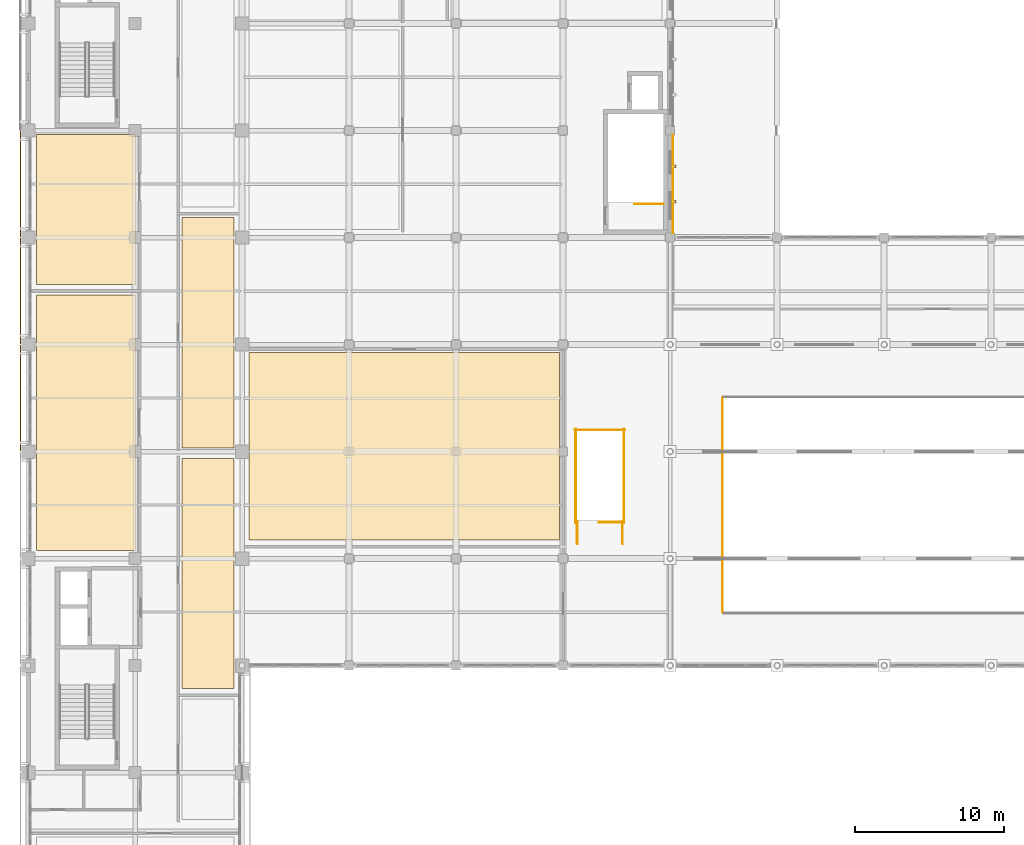
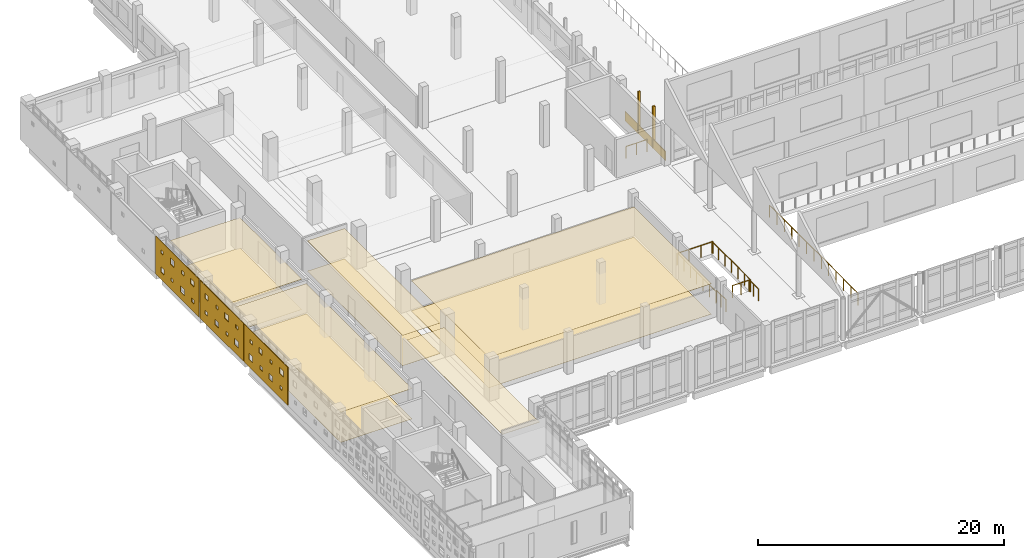
# One storey, part 56 of 62: 13 coverings, 8 railings, 2 shading devices.
"""IFC4 building model written with IfcOpenShell, lengths in metres."""

from ifc_helpers import new_model, si_unit, direction, frame, origin, origin_2d, place, context, subcontext, project, spatial, polyline, rectangle, circle, outline, extrude, material, layer, layer_set, type_object, element, save


model = new_model("IFC4")

# Units and contexts
model_context = context("Model", 3, precision=1e-05, world=origin(), true_north=direction((0.0, 1.0)))
body_context = subcontext(model_context, "Body", "Model", "MODEL_VIEW")
ifc_project = project(units=[si_unit("LENGTHUNIT", "METRE"), si_unit("AREAUNIT", "SQUARE_METRE"), si_unit("VOLUMEUNIT", "CUBIC_METRE"), si_unit("PLANEANGLEUNIT", "RADIAN"), si_unit("MASSUNIT", "GRAM", prefix="KILO")], contexts=[model_context])

# Site, building, storey
site_placement = place(None, origin())
site = spatial("IfcSite", under=ifc_project, at=site_placement, CompositionType="ELEMENT")
building_placement = place(site_placement, origin())
building = spatial("IfcBuilding", under=site, at=building_placement, Name="Valkovuoma Quantum and Materials Research Institute", CompositionType="ELEMENT")
storey_placement = place(building_placement, frame((0.0, 0.0, 13.1201171875)))
storey = spatial("IfcBuildingStorey", under=building, at=storey_placement, Name="L03", CompositionType="ELEMENT", Elevation=13.1201171875)

# Coverings
ifc_material_1 = material(Name="Cleanable acoustic mineral-fibre suspended ceiling", Category="masonry")
ifc_layer_1 = layer(ifc_material_1, 0.02490234375)
ifc_layer_set_1 = layer_set([ifc_layer_1], Name="Cleanable acoustic mineral-fibre suspended ceiling")
covering_type_1 = type_object("IfcCoveringType", Name="Cov-CEIL-01", PredefinedType="CEILING", material=ifc_layer_set_1)
covering_1_placement = place(storey_placement, frame((0.0, 0.0, 3.0)))
element("IfcCovering", 1, at=covering_1_placement, inside=storey, type_object=covering_type_1, Name="L03 acoustic ceiling 0082", PredefinedType="CEILING", context=body_context, shape_type="SweptSolid", body=[
    extrude(outline(polyline([(0.550048828125, 43.75), (7.25, 43.75), (7.25, 60.949951171875), (0.550048828125, 60.949951171875), (0.550048828125, 43.75)])), origin(), (0.0, 0.0, 1.0), 0.02490234375),
])
covering_2_placement = place(storey_placement, frame((0.0, 0.0, 3.0)))
element("IfcCovering", 2, at=covering_2_placement, inside=storey, type_object=covering_type_1, Name="L03 acoustic ceiling 0083", PredefinedType="CEILING", context=body_context, shape_type="SweptSolid", body=[
    extrude(outline(polyline([(0.550048828125, 61.64990234375), (7.25, 61.64990234375), (7.25, 71.75), (0.550048828125, 71.75), (0.550048828125, 61.64990234375)])), origin(), (0.0, 0.0, 1.0), 0.02490234375),
])
covering_3_placement = place(storey_placement, frame((0.0, 0.0, 3.0)))
element("IfcCovering", 3, at=covering_3_placement, inside=storey, type_object=covering_type_1, Name="L03 acoustic ceiling 0086", PredefinedType="CEILING", context=body_context, shape_type="SweptSolid", body=[
    extrude(outline(polyline([(10.35009765625, 34.449951171875), (13.85009765625, 34.449951171875), (13.85009765625, 49.949951171875), (10.35009765625, 49.949951171875), (10.35009765625, 34.449951171875)])), origin(), (0.0, 0.0, 1.0), 0.02490234375),
])
covering_4_placement = place(storey_placement, frame((0.0, 0.0, 3.0)))
element("IfcCovering", 4, at=covering_4_placement, inside=storey, type_object=covering_type_1, Name="L03 acoustic ceiling 0087", PredefinedType="CEILING", context=body_context, shape_type="SweptSolid", body=[
    extrude(outline(polyline([(10.35009765625, 50.64990234375), (13.85009765625, 50.64990234375), (13.85009765625, 66.14990234375), (10.35009765625, 66.14990234375), (10.35009765625, 50.64990234375)])), origin(), (0.0, 0.0, 1.0), 0.02490234375),
])
covering_5_placement = place(storey_placement, frame((0.0, 0.0, 3.0)))
element("IfcCovering", 5, at=covering_5_placement, inside=storey, type_object=covering_type_1, Name="L03 acoustic ceiling 0089", PredefinedType="CEILING", context=body_context, shape_type="SweptSolid", body=[
    extrude(outline(polyline([(14.85009765625, 44.449951171875), (35.75, 44.449951171875), (35.75, 57.050048828125), (14.85009765625, 57.050048828125), (14.85009765625, 44.449951171875)])), origin(), (0.0, 0.0, 1.0), 0.02490234375),
])
ifc_material_2 = material(Name="Seamless dissipative laboratory resin flooring", Category="masonry")
ifc_layer_2 = layer(ifc_material_2, 0.014892578125)
ifc_layer_set_2 = layer_set([ifc_layer_2], Name="Seamless dissipative laboratory resin flooring")
covering_type_2 = type_object("IfcCoveringType", Name="Cov-FLOR-01", PredefinedType="FLOORING", material=ifc_layer_set_2)
covering_6_placement = place(storey_placement, origin())
element("IfcCovering", 6, at=covering_6_placement, inside=storey, type_object=covering_type_2, Name="L03 resin flooring 0082", PredefinedType="FLOORING", context=body_context, shape_type="SweptSolid", body=[
    extrude(outline(polyline([(0.550048828125, 43.75), (7.25, 43.75), (7.25, 60.949951171875), (0.550048828125, 60.949951171875), (0.550048828125, 43.75)])), origin(), (0.0, 0.0, 1.0), 0.014892578125),
])
covering_7_placement = place(storey_placement, origin())
element("IfcCovering", 7, at=covering_7_placement, inside=storey, type_object=covering_type_2, Name="L03 resin flooring 0083", PredefinedType="FLOORING", context=body_context, shape_type="SweptSolid", body=[
    extrude(outline(polyline([(0.550048828125, 61.64990234375), (7.25, 61.64990234375), (7.25, 71.75), (0.550048828125, 71.75), (0.550048828125, 61.64990234375)])), origin(), (0.0, 0.0, 1.0), 0.014892578125),
])
covering_8_placement = place(storey_placement, origin())
element("IfcCovering", 8, at=covering_8_placement, inside=storey, type_object=covering_type_2, Name="L03 resin flooring 0087", PredefinedType="FLOORING", context=body_context, shape_type="SweptSolid", body=[
    extrude(outline(polyline([(10.35009765625, 50.64990234375), (13.85009765625, 50.64990234375), (13.85009765625, 66.14990234375), (10.35009765625, 66.14990234375), (10.35009765625, 50.64990234375)])), origin(), (0.0, 0.0, 1.0), 0.014892578125),
])
covering_9_placement = place(storey_placement, origin())
element("IfcCovering", 9, at=covering_9_placement, inside=storey, type_object=covering_type_2, Name="L03 resin flooring 0089", PredefinedType="FLOORING", context=body_context, shape_type="SweptSolid", body=[
    extrude(outline(polyline([(14.85009765625, 44.449951171875), (35.75, 44.449951171875), (35.75, 57.050048828125), (14.85009765625, 57.050048828125), (14.85009765625, 44.449951171875)])), origin(), (0.0, 0.0, 1.0), 0.014892578125),
])
ifc_material_3 = material(Name="White powder-coated aluminium architectural panel", Category="aluminium")
ifc_layer_3 = layer(ifc_material_3, 0.054931640625)
ifc_layer_set_3 = layer_set([ifc_layer_3], Name="White powder-coated aluminium architectural panel")
covering_type_3 = type_object("IfcCoveringType", Name="Cov-PERF-MID", PredefinedType="CLADDING", material=ifc_layer_set_3)
covering_10_placement = place(storey_placement, frame((-0.52001953125, 50.4599609375, 0.019775390625), z_axis=(0.0, 0.0, 1.0), x_axis=(0.0, 1.0, 0.0)))
element("IfcCovering", 10, at=covering_10_placement, inside=storey, type_object=covering_type_3, Name="L03 graduated perforated white screen W-0031", PredefinedType="CLADDING", context=body_context, shape_type="SweptSolid", body=[
    extrude(outline(polyline([(0.0, 0.0), (7.080078125, 0.0), (7.080078125, 3.77001953125), (0.0, 3.77001953125), (0.0, 0.0)]), holes=[polyline([(0.902587890625, 0.882568359375), (0.902587890625, 1.222412109375), (1.242431640625, 1.222412109375), (1.242431640625, 0.882568359375), (0.902587890625, 0.882568359375)]), polyline([(0.702392578125, 2.357421875), (0.702392578125, 2.9775390625), (1.322509765625, 2.9775390625), (1.322509765625, 2.357421875), (0.702392578125, 2.357421875)]), polyline([(2.507568359375, 0.782470703125), (2.507568359375, 1.322509765625), (3.047607421875, 1.322509765625), (3.047607421875, 0.782470703125), (2.507568359375, 0.782470703125)]), polyline([(2.547607421875, 2.49755859375), (2.547607421875, 2.83740234375), (2.887451171875, 2.83740234375), (2.887451171875, 2.49755859375), (2.547607421875, 2.49755859375)]), polyline([(4.112548828125, 0.862548828125), (4.112548828125, 1.242431640625), (4.492431640625, 1.242431640625), (4.492431640625, 0.862548828125), (4.112548828125, 0.862548828125)]), polyline([(4.152587890625, 2.3974609375), (4.152587890625, 2.9375), (4.6923828125, 2.9375), (4.6923828125, 2.3974609375), (4.152587890625, 2.3974609375)]), polyline([(5.697509765625, 0.742431640625), (5.697509765625, 1.362548828125), (6.3173828125, 1.362548828125), (6.3173828125, 0.742431640625), (5.697509765625, 0.742431640625)]), polyline([(5.757568359375, 2.4775390625), (5.757568359375, 2.857421875), (6.137451171875, 2.857421875), (6.137451171875, 2.4775390625), (5.757568359375, 2.4775390625)])]), frame((0.0, 0.02734375, 0.0), z_axis=(0.0, -1.0, 0.0), x_axis=(1.0, 0.0, 0.0)), (0.0, 0.0, 1.0), 0.054931640625),
])
covering_11_placement = place(storey_placement, frame((-0.52001953125, 57.659912109375, 0.019775390625), z_axis=(0.0, 0.0, 1.0), x_axis=(0.0, 1.0, 0.0)))
element("IfcCovering", 11, at=covering_11_placement, inside=storey, type_object=covering_type_3, Name="L03 graduated perforated white screen W-0032", PredefinedType="CLADDING", context=body_context, shape_type="SweptSolid", body=[
    extrude(outline(polyline([(0.0, 0.0), (7.080078125, 0.0), (7.080078125, 3.77001953125), (0.0, 3.77001953125), (0.0, 0.0)]), holes=[polyline([(0.822509765625, 0.79248046875), (0.822509765625, 1.41259765625), (1.4423828125, 1.41259765625), (1.4423828125, 0.79248046875), (0.822509765625, 0.79248046875)]), polyline([(0.882568359375, 2.527587890625), (0.882568359375, 2.907470703125), (1.262451171875, 2.907470703125), (1.262451171875, 2.527587890625), (0.882568359375, 2.527587890625)]), polyline([(2.487548828125, 0.9326171875), (2.487548828125, 1.2724609375), (2.827392578125, 1.2724609375), (2.827392578125, 0.9326171875), (2.487548828125, 0.9326171875)]), polyline([(2.467529296875, 2.407470703125), (2.467529296875, 3.027587890625), (3.08740234375, 3.027587890625), (3.08740234375, 2.407470703125), (2.467529296875, 2.407470703125)]), polyline([(4.092529296875, 0.83251953125), (4.092529296875, 1.37255859375), (4.632568359375, 1.37255859375), (4.632568359375, 0.83251953125), (4.092529296875, 0.83251953125)]), polyline([(4.132568359375, 2.547607421875), (4.132568359375, 2.887451171875), (4.472412109375, 2.887451171875), (4.472412109375, 2.547607421875), (4.132568359375, 2.547607421875)]), polyline([(5.87744140625, 0.91259765625), (5.87744140625, 1.29248046875), (6.257568359375, 1.29248046875), (6.257568359375, 0.91259765625), (5.87744140625, 0.91259765625)]), polyline([(5.737548828125, 2.447509765625), (5.737548828125, 2.987548828125), (6.277587890625, 2.987548828125), (6.277587890625, 2.447509765625), (5.737548828125, 2.447509765625)])]), frame((0.0, 0.02734375, 0.0), z_axis=(0.0, -1.0, 0.0), x_axis=(1.0, 0.0, 0.0)), (0.0, 0.0, 1.0), 0.054931640625),
])
covering_12_placement = place(storey_placement, frame((-0.52001953125, 64.860107421875, 0.019775390625), z_axis=(0.0, 0.0, 1.0), x_axis=(0.0, 1.0, 0.0)))
element("IfcCovering", 12, at=covering_12_placement, inside=storey, type_object=covering_type_3, Name="L03 graduated perforated white screen W-0033", PredefinedType="CLADDING", context=body_context, shape_type="SweptSolid", body=[
    extrude(outline(polyline([(0.0, 0.0), (7.079833984375, 0.0), (7.079833984375, 3.77001953125), (0.0, 3.77001953125), (0.0, 0.0)]), holes=[polyline([(0.822509765625, 0.8125), (0.822509765625, 1.1923828125), (1.202392578125, 1.1923828125), (1.202392578125, 0.8125), (0.822509765625, 0.8125)]), polyline([(0.862548828125, 2.49755859375), (0.862548828125, 3.03759765625), (1.402587890625, 3.03759765625), (1.402587890625, 2.49755859375), (0.862548828125, 2.49755859375)]), polyline([(2.407470703125, 0.6923828125), (2.407470703125, 1.3125), (3.027587890625, 1.3125), (3.027587890625, 0.6923828125), (2.407470703125, 0.6923828125)]), polyline([(2.467529296875, 2.577392578125), (2.467529296875, 2.95751953125), (2.847412109375, 2.95751953125), (2.847412109375, 2.577392578125), (2.467529296875, 2.577392578125)]), polyline([(4.25244140625, 0.83251953125), (4.25244140625, 1.172607421875), (4.592529296875, 1.172607421875), (4.592529296875, 0.83251953125), (4.25244140625, 0.83251953125)]), polyline([(4.052490234375, 2.45751953125), (4.052490234375, 3.077392578125), (4.672607421875, 3.077392578125), (4.672607421875, 2.45751953125), (4.052490234375, 2.45751953125)]), polyline([(5.677490234375, 0.732421875), (5.677490234375, 1.2724609375), (6.217529296875, 1.2724609375), (6.217529296875, 0.732421875), (5.677490234375, 0.732421875)]), polyline([(5.8974609375, 2.597412109375), (5.8974609375, 2.9375), (6.237548828125, 2.9375), (6.237548828125, 2.597412109375), (5.8974609375, 2.597412109375)])]), frame((0.0, 0.02734375, 0.0), z_axis=(0.0, -1.0, 0.0), x_axis=(1.0, 0.0, 0.0)), (0.0, 0.0, 1.0), 0.054931640625),
])
ifc_material_4 = material(Name="Thermally modified Nordic pine timber rainscreen cladding", Category="wood")
ifc_layer_4 = layer(ifc_material_4, 0.044921875)
ifc_layer_set_4 = layer_set([ifc_layer_4], Name="Thermally modified Nordic pine timber rainscreen cladding")
covering_type_4 = type_object("IfcCoveringType", Name="Cov-TIMB-01", PredefinedType="CLADDING", material=ifc_layer_set_4)
covering_13_placement = place(storey_placement, frame((43.389892578125, 68.39990234375, 0.02001953125), z_axis=(0.0, 0.0, 1.0), x_axis=(1.0, 0.0, 0.0)))
element("IfcCovering", 13, at=covering_13_placement, inside=storey, type_object=covering_type_4, Name="L03 Nordic pine spandrel E-042", PredefinedType="CLADDING", context=body_context, shape_type="SweptSolid", body=[
    extrude(rectangle(XDim=0.044921875, YDim=6.6201171875, at=origin_2d()), origin(), (0.0, 0.0, 1.0), 0.919921875),
])

# Railings
ifc_material_5 = material(Name="Hot-dip galvanised and powder-coated steel guardrail", Category="steel")
railing_type_1 = type_object("IfcRailingType", Name="Rail-GRD-EXT", PredefinedType="BALUSTRADE", material=ifc_material_5)
railing_1_placement = place(storey_placement, frame((46.719970703125, 39.60009765625, 0.0)))
element("IfcRailing", 14, at=railing_1_placement, inside=storey, type_object=railing_type_1, Name="L03 atrium_void balustrade W", PredefinedType="BALUSTRADE", context=body_context, shape_type="SweptSolid", body=[
    extrude(circle(Radius=0.02392578125, at=origin_2d()), frame((0.0, 0.0, 1.17578125), z_axis=(0.0, 1.0, 0.0), x_axis=(-1.0, 0.0, 0.0)), (0.0, 0.0, 1.0), 14.39990234375),
    extrude(circle(Radius=0.02099609375, at=origin_2d()), origin(), (0.0, 0.0, 1.0), 1.15185546875),
    extrude(circle(Radius=0.02099609375, at=origin_2d()), frame((0.0, 1.199951171875, 0.0)), (0.0, 0.0, 1.0), 1.15185546875),
    extrude(circle(Radius=0.02099609375, at=origin_2d()), frame((0.0, 2.39990234375, 0.0)), (0.0, 0.0, 1.0), 1.15185546875),
    extrude(circle(Radius=0.02099609375, at=origin_2d()), frame((0.0, 3.60009765625, 0.0)), (0.0, 0.0, 1.0), 1.15185546875),
    extrude(circle(Radius=0.02099609375, at=origin_2d()), frame((0.0, 4.800048828125, 0.0)), (0.0, 0.0, 1.0), 1.15185546875),
    extrude(circle(Radius=0.02099609375, at=origin_2d()), frame((0.0, 6.0, 0.0)), (0.0, 0.0, 1.0), 1.15185546875),
    extrude(circle(Radius=0.02099609375, at=origin_2d()), frame((0.0, 7.199951171875, 0.0)), (0.0, 0.0, 1.0), 1.15185546875),
    extrude(circle(Radius=0.02099609375, at=origin_2d()), frame((0.0, 8.39990234375, 0.0)), (0.0, 0.0, 1.0), 1.15185546875),
    extrude(circle(Radius=0.02099609375, at=origin_2d()), frame((0.0, 9.599853515625, 0.0)), (0.0, 0.0, 1.0), 1.15185546875),
    extrude(circle(Radius=0.02099609375, at=origin_2d()), frame((0.0, 10.7998046875, 0.0)), (0.0, 0.0, 1.0), 1.15185546875),
    extrude(circle(Radius=0.02099609375, at=origin_2d()), frame((0.0, 12.0, 0.0)), (0.0, 0.0, 1.0), 1.15185546875),
    extrude(circle(Radius=0.02099609375, at=origin_2d()), frame((0.0, 13.199951171875, 0.0)), (0.0, 0.0, 1.0), 1.15185546875),
    extrude(circle(Radius=0.02099609375, at=origin_2d()), frame((0.0, 14.39990234375, 0.0)), (0.0, 0.0, 1.0), 1.15185546875),
])
ifc_material_6 = material(Name="Painted steel stair balustrade", Category="steel")
railing_type_2 = type_object("IfcRailingType", Name="Rail-GRD-ST", PredefinedType="BALUSTRADE", material=ifc_material_6)
railing_2_placement = place(storey_placement, frame((42.75, 67.050048828125, 0.0)))
element("IfcRailing", 15, at=railing_2_placement, inside=storey, type_object=railing_type_2, Name="L03 ST-4 top well guard 1", PredefinedType="BALUSTRADE", context=body_context, shape_type="SweptSolid", body=[
    extrude(circle(Radius=0.02392578125, at=origin_2d()), frame((0.0, 0.0, 1.17578125), z_axis=(-1.0, 0.0, 0.0), x_axis=(0.0, -1.0, 0.0)), (0.0, 0.0, 1.0), 1.949951171875),
    extrude(circle(Radius=0.02099609375, at=origin_2d()), origin(), (0.0, 0.0, 1.0), 1.15185546875),
    extrude(circle(Radius=0.02099609375, at=origin_2d()), frame((-0.97509765625, 0.0, 0.0)), (0.0, 0.0, 1.0), 1.15185546875),
    extrude(circle(Radius=0.02099609375, at=origin_2d()), frame((-1.949951171875, 0.0, 0.0)), (0.0, 0.0, 1.0), 1.15185546875),
])
railing_3_placement = place(storey_placement, frame((40.050048828125, 45.64990234375, 0.0)))
element("IfcRailing", 16, at=railing_3_placement, inside=storey, type_object=railing_type_2, Name="L03 ST-5 top well guard 1", PredefinedType="BALUSTRADE", context=body_context, shape_type="SweptSolid", body=[
    extrude(circle(Radius=0.02392578125, at=origin_2d()), frame((0.0, 0.0, 1.17578125), z_axis=(-1.0, 0.0, 0.0), x_axis=(0.0, -1.0, 0.0)), (0.0, 0.0, 1.0), 1.650146484375),
    extrude(circle(Radius=0.02099609375, at=origin_2d()), origin(), (0.0, 0.0, 1.0), 1.15185546875),
    extrude(circle(Radius=0.02099609375, at=origin_2d()), frame((-0.8251953125, 0.0, 0.0)), (0.0, 0.0, 1.0), 1.15185546875),
    extrude(circle(Radius=0.02099609375, at=origin_2d()), frame((-1.650146484375, 0.0, 0.0)), (0.0, 0.0, 1.0), 1.15185546875),
])
for number, where, name in (
    (17, (40.10009765625, 45.60009765625, 0.0), "L03 ST-5 top well guard 2"),
    (18, (36.85009765625, 45.60009765625, 0.0), "L03 ST-5 top well guard 3"),
):
    element("IfcRailing", number, at=place(storey_placement, frame(where)), inside=storey, type_object=railing_type_2, Name=name, PredefinedType="BALUSTRADE", context=body_context, shape_type="SweptSolid", body=[
        extrude(circle(Radius=0.02392578125, at=origin_2d()), frame((0.0, 0.0, 1.17578125), z_axis=(0.0, 1.0, 0.0), x_axis=(-1.0, 0.0, 0.0)), (0.0, 0.0, 1.0), 6.2998046875),
        extrude(circle(Radius=0.02099609375, at=origin_2d()), origin(), (0.0, 0.0, 1.0), 1.15185546875),
        extrude(circle(Radius=0.02099609375, at=origin_2d()), frame((0.0, 1.050048828125, 0.0)), (0.0, 0.0, 1.0), 1.15185546875),
        extrude(circle(Radius=0.02099609375, at=origin_2d()), frame((0.0, 2.099853515625, 0.0)), (0.0, 0.0, 1.0), 1.15185546875),
        extrude(circle(Radius=0.02099609375, at=origin_2d()), frame((0.0, 3.14990234375, 0.0)), (0.0, 0.0, 1.0), 1.15185546875),
        extrude(circle(Radius=0.02099609375, at=origin_2d()), frame((0.0, 4.199951171875, 0.0)), (0.0, 0.0, 1.0), 1.15185546875),
        extrude(circle(Radius=0.02099609375, at=origin_2d()), frame((0.0, 5.249755859375, 0.0)), (0.0, 0.0, 1.0), 1.15185546875),
        extrude(circle(Radius=0.02099609375, at=origin_2d()), frame((0.0, 6.2998046875, 0.0)), (0.0, 0.0, 1.0), 1.15185546875),
    ])
railing_4_placement = place(storey_placement, frame((40.14990234375, 51.85009765625, 0.0)))
element("IfcRailing", 19, at=railing_4_placement, inside=storey, type_object=railing_type_2, Name="L03 ST-5 top well guard 4", PredefinedType="BALUSTRADE", context=body_context, shape_type="SweptSolid", body=[
    extrude(circle(Radius=0.02392578125, at=origin_2d()), frame((0.0, 0.0, 1.17578125), z_axis=(-1.0, 0.0, 0.0), x_axis=(0.0, -1.0, 0.0)), (0.0, 0.0, 1.0), 3.349853515625),
    extrude(circle(Radius=0.02099609375, at=origin_2d()), origin(), (0.0, 0.0, 1.0), 1.15185546875),
    extrude(circle(Radius=0.02099609375, at=origin_2d()), frame((-1.11669921875, 0.0, 0.0)), (0.0, 0.0, 1.0), 1.15185546875),
    extrude(circle(Radius=0.02099609375, at=origin_2d()), frame((-2.233154296875, 0.0, 0.0)), (0.0, 0.0, 1.0), 1.15185546875),
    extrude(circle(Radius=0.02099609375, at=origin_2d()), frame((-3.349853515625, 0.0, 0.0)), (0.0, 0.0, 1.0), 1.15185546875),
])
for number, where, name in (
    (20, (40.0, 44.199951171875, 0.0), "L03 ST-5 top well guard 5"),
    (21, (36.949951171875, 44.199951171875, 0.0), "L03 ST-5 top well guard 6"),
):
    element("IfcRailing", number, at=place(storey_placement, frame(where)), inside=storey, type_object=railing_type_2, Name=name, PredefinedType="BALUSTRADE", context=body_context, shape_type="SweptSolid", body=[
        extrude(circle(Radius=0.02392578125, at=origin_2d()), frame((0.0, 0.0, 1.17578125), z_axis=(0.0, 1.0, 0.0), x_axis=(-1.0, 0.0, 0.0)), (0.0, 0.0, 1.0), 1.5),
        extrude(circle(Radius=0.02099609375, at=origin_2d()), origin(), (0.0, 0.0, 1.0), 1.15185546875),
        extrude(circle(Radius=0.02099609375, at=origin_2d()), frame((0.0, 0.75, 0.0)), (0.0, 0.0, 1.0), 1.15185546875),
        extrude(circle(Radius=0.02099609375, at=origin_2d()), frame((0.0, 1.5, 0.0)), (0.0, 0.0, 1.0), 1.15185546875),
    ])

# Shading devices
ifc_material_7 = material(Name="Powder-coated white perforated architectural aluminium panel", Category="aluminium")
ifc_layer_5 = layer(ifc_material_7, 0.050048828125)
ifc_layer_set_5 = layer_set([ifc_layer_5], Name="Powder-coated white perforated architectural aluminium panel")
shading_device_type = type_object("IfcShadingDeviceType", Name="Screen-SCR-MID", PredefinedType="JALOUSIE", material=ifc_layer_set_5)
for number, where, z_axis, x_axis, name in (
    (22, (43.469970703125, 67.199951171875, 0.0), (0.0, 0.0, 1.0), (1.0, 0.0, 0.0), "L03 cleanroom facade vertical fin E-0092"),
    (23, (43.469970703125, 69.60009765625, 0.0), (0.0, 0.0, 1.0), (1.0, 0.0, 0.0), "L03 cleanroom facade vertical fin E-0093"),
):
    element("IfcShadingDevice", number, at=place(storey_placement, frame(where, z_axis=z_axis, x_axis=x_axis)), inside=storey, type_object=shading_device_type, Name=name, PredefinedType="JALOUSIE", context=body_context, shape_type="SweptSolid", body=[
        extrude(rectangle(XDim=0.219970703125, YDim=0.159912109375, at=origin_2d()), origin(), (0.0, 0.0, 1.0), 4.159912109375),
    ])

save(model, "model.ifc")
